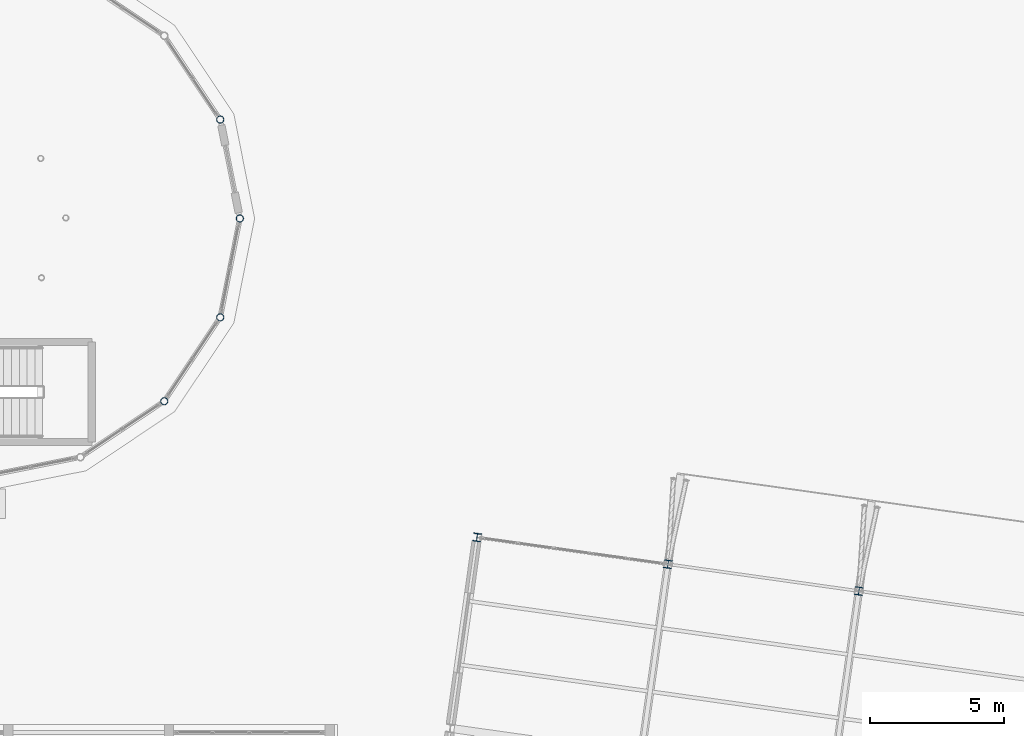
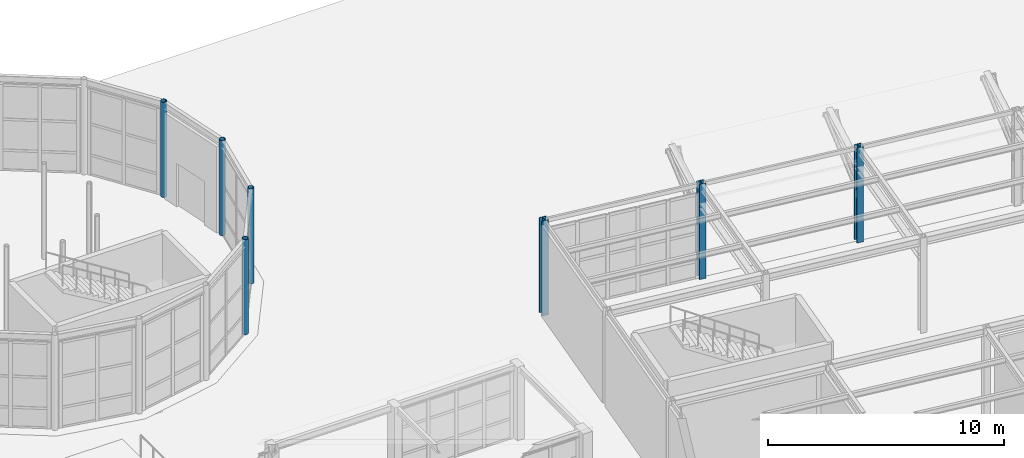
# One storey, part 7 of 57: 7 columns.
"""IFC4 building model written with IfcOpenShell, lengths in metres."""

from ifc_helpers import new_model, si_unit, direction, frame, origin, origin_2d, place, context, subcontext, project, spatial, hollow_circle, i_section, extrude, material, material_profile, profile_set, type_object, element, save


model = new_model("IFC4")

# Units and contexts
model_context = context("Model", 3, precision=1e-05, world=origin(), true_north=direction((0.0, 1.0)))
body_context = subcontext(model_context, "Body", "Model", "MODEL_VIEW")
ifc_project = project(units=[si_unit("LENGTHUNIT", "METRE"), si_unit("AREAUNIT", "SQUARE_METRE"), si_unit("VOLUMEUNIT", "CUBIC_METRE"), si_unit("PLANEANGLEUNIT", "RADIAN"), si_unit("MASSUNIT", "GRAM", prefix="KILO")], contexts=[model_context])

# Site, building, storey
site_placement = place(None, origin())
site = spatial("IfcSite", under=ifc_project, at=site_placement, CompositionType="ELEMENT")
building_placement = place(site_placement, origin())
building = spatial("IfcBuilding", under=site, at=building_placement, Name="Kharisveld Research Institute", CompositionType="ELEMENT")
storey_placement = place(building_placement, origin())
storey = spatial("IfcBuildingStorey", under=building, at=storey_placement, Name="L00", CompositionType="ELEMENT", Elevation=0.0)

# Columns
ifc_material_1 = material(Name="Steel S355J2H", Category="steel")
ifc_material_profile_1 = material_profile(ifc_material_1, hollow_circle(Radius=0.136474609375, WallThickness=0.010009765625, at=origin_2d()))
ifc_profile_set_1 = profile_set([ifc_material_profile_1], Name="Steel S355J2H")
column_type_1 = type_object("IfcColumnType", Name="COL_ST_CHS273", PredefinedType="COLUMN", material=ifc_profile_set_1)
for number, where, z_axis, x_axis, name in (
    (1, (69.14990234375, 50.800048828125, 0.0), (0.0, 0.0, 1.0), (1.0, 0.0, 0.0), "COL:V6:L00:R00"),
    (2, (68.41552734375, 54.492919921875, 0.0), (0.0, 0.0, 1.0), (1.0, 0.0, 0.0), "COL:V6:L00:R01"),
    (3, (66.323486328125, 43.976318359375, 0.0), (0.0, 0.0, 1.0), (1.0, 0.0, 0.0), "COL:V6:L00:R14"),
    (4, (68.41552734375, 47.107177734375, 0.0), (0.0, 0.0, 1.0), (1.0, 0.0, 0.0), "COL:V6:L00:R15"),
):
    element("IfcColumn", number, at=place(storey_placement, frame(where, z_axis=z_axis, x_axis=x_axis)), inside=storey, type_object=column_type_1, Name=name, PredefinedType="COLUMN", context=body_context, shape_type="SweptSolid", body=[
        extrude(hollow_circle(Radius=0.136474609375, WallThickness=0.010009765625, at=origin_2d()), origin(), (0.0, 0.0, 1.0), 4.919921875),
    ])
ifc_material_2 = material(Name="Steel S355JR", Category="steel")
ifc_material_profile_2 = material_profile(ifc_material_2, i_section(OverallWidth=0.300048828125, OverallDepth=0.300048828125, WebThickness=0.010986328125, FlangeThickness=0.01904296875, at=origin_2d()))
ifc_profile_set_2 = profile_set([ifc_material_profile_2], Name="Steel S355JR")
column_type_2 = type_object("IfcColumnType", Name="COL_ST_HEB300", PredefinedType="COLUMN", material=ifc_profile_set_2)
for number, where, z_axis, x_axis, name in (
    (5, (78.006103515625, 38.889892578125, 0.0), (0.0, 0.0, 1.0), (0.990268068742, -0.13917310096, 0.0), "COL:V4:L00:U0V3"),
    (6, (85.135986328125, 37.8876953125, 0.0), (0.0, 0.0, 1.0), (0.990268068742, -0.13917310096, 0.0), "COL:V4:L00:U1V3"),
    (7, (92.26611328125, 36.8857421875, 0.0), (0.0, 0.0, 1.0), (0.990268068742, -0.13917310096, 0.0), "COL:V4:L00:U2V3"),
):
    element("IfcColumn", number, at=place(storey_placement, frame(where, z_axis=z_axis, x_axis=x_axis)), inside=storey, type_object=column_type_2, Name=name, PredefinedType="COLUMN", context=body_context, shape_type="SweptSolid", body=[
        extrude(i_section(OverallWidth=0.300048828125, OverallDepth=0.300048828125, WebThickness=0.010986328125, FlangeThickness=0.01904296875, at=origin_2d()), origin(), (0.0, 0.0, 1.0), 4.919921875),
    ])

save(model, "model.ifc")
